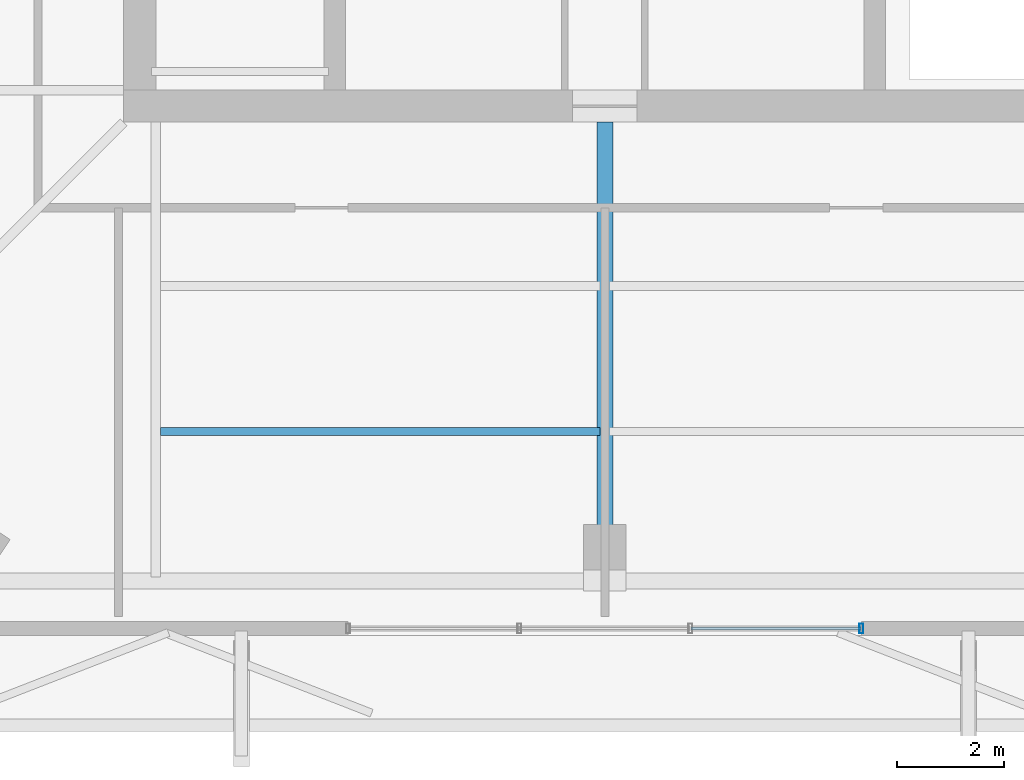
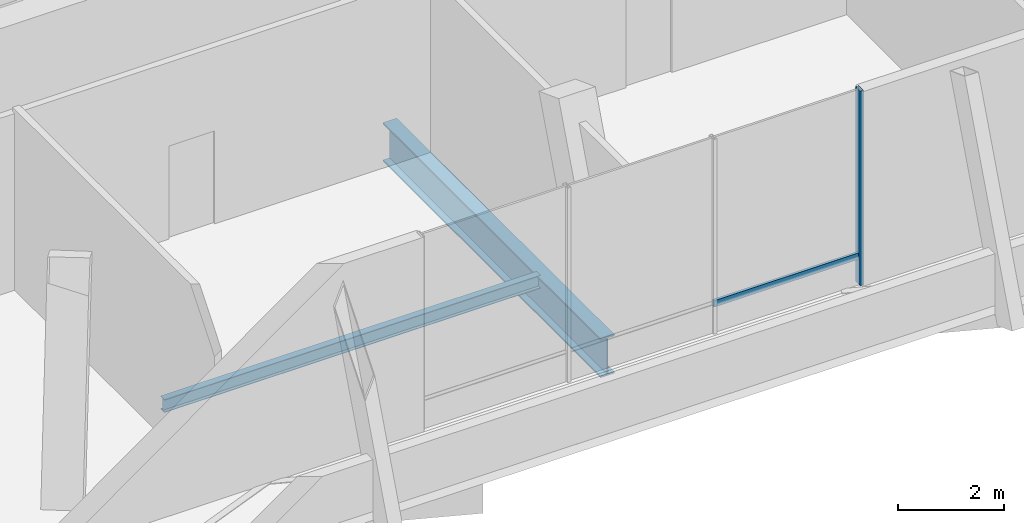
# One storey, part 5 of 18: 2 beams, 2 members, 1 element without a shape of its own.
"""IFC4 building model written with IfcOpenShell, lengths in metres."""

from ifc_helpers import new_model, si_unit, direction, frame, origin, origin_2d, place, context, subcontext, project, spatial, hollow_rectangle, i_section, extrude, material, layer, layer_set, material_profile, profile_set, type_object, element, aggregate, save


model = new_model("IFC4")

# Units and contexts
model_context = context("Model", 3, precision=1e-05, world=origin(), true_north=direction((0.0, 1.0)))
body_context = subcontext(model_context, "Body", "Model", "MODEL_VIEW")
ifc_project = project(units=[si_unit("LENGTHUNIT", "METRE"), si_unit("AREAUNIT", "SQUARE_METRE"), si_unit("VOLUMEUNIT", "CUBIC_METRE"), si_unit("PLANEANGLEUNIT", "RADIAN"), si_unit("MASSUNIT", "GRAM", prefix="KILO")], contexts=[model_context])

# Site, building, storey
site_placement = place(None, origin())
site = spatial("IfcSite", under=ifc_project, at=site_placement, CompositionType="ELEMENT")
building_placement = place(site_placement, origin())
building = spatial("IfcBuilding", under=site, at=building_placement, Name="Belovzor Exchange Tower", CompositionType="ELEMENT")
storey_placement = place(building_placement, frame((0.0, 0.0, 369.0)))
storey = spatial("IfcBuildingStorey", under=building, at=storey_placement, Name="L92", CompositionType="ELEMENT", Elevation=369.0)

# Beams
ifc_material_1 = material(Name="Steel S460", Category="steel")
ifc_material_profile_1 = material_profile(ifc_material_1, i_section(OverallWidth=0.300048828125, OverallDepth=0.89990234375, WebThickness=0.0185546875, FlangeThickness=0.034912109375, at=origin_2d()))
ifc_profile_set_1 = profile_set([ifc_material_profile_1], Name="Steel S460")
beam_type_1 = type_object("IfcBeamType", Name="Podium Radial Clear-Span Girder HEB 900", PredefinedType="BEAM", material=ifc_profile_set_1)
beam_1_placement = place(storey_placement, frame((28.800048828125, 19.800048828125, -0.75), z_axis=(0.0, -1.0, 0.0), x_axis=(1.0, 0.0, 0.0)))
element("IfcBeam", 1, at=beam_1_placement, inside=storey, type_object=beam_type_1, Name="PG-2 Podium Radial Clear-Span Girder HEB 900", PredefinedType="BEAM", context=body_context, shape_type="SweptSolid", body=[
    extrude(i_section(OverallWidth=0.300048828125, OverallDepth=0.89990234375, WebThickness=0.0185546875, FlangeThickness=0.034912109375, at=origin_2d()), origin(), (0.0, 0.0, 1.0), 8.248046875),
])
ifc_material_2 = material(Name="Steel S355", Category="steel")
ifc_material_profile_2 = material_profile(ifc_material_2, i_section(OverallWidth=0.14990234375, OverallDepth=0.300048828125, WebThickness=0.007080078125, FlangeThickness=0.0107421875, at=origin_2d()))
ifc_profile_set_2 = profile_set([ifc_material_profile_2], Name="Steel S355")
beam_type_2 = type_object("IfcBeamType", Name="Secondary Trim Floor Joist IPE 300", PredefinedType="BEAM", material=ifc_profile_set_2)
beam_2_placement = place(storey_placement, frame((20.489990234375, 14.01708984375, -0.449951171875), z_axis=(1.0, 0.0, 0.0), x_axis=(0.0, 1.0, 0.0)))
element("IfcBeam", 2, at=beam_2_placement, inside=storey, type_object=beam_type_2, Name="FJ-300 Secondary Trim Floor Joist IPE 300", PredefinedType="BEAM", context=body_context, shape_type="SweptSolid", body=[
    extrude(i_section(OverallWidth=0.14990234375, OverallDepth=0.300048828125, WebThickness=0.007080078125, FlangeThickness=0.0107421875, at=origin_2d()), origin(), (0.0, 0.0, 1.0), 8.219970703125),
])

# Curtain wall, members
ifc_material_3 = material(Name="Anodised Aluminium Framing", Category="aluminium")
ifc_layer = layer(ifc_material_3, 0.169921875)
ifc_layer_set = layer_set([ifc_layer], Name="Anodised Aluminium Framing")
curtain_wall_type = type_object("IfcCurtainWallType", Name="Stepped Crown Faceted Lantern Curtain Wall", PredefinedType="NOTDEFINED", material=ifc_layer_set)
curtain_wall_placement = place(storey_placement, origin())
curtain_wall = element("IfcCurtainWall", 3, at=curtain_wall_placement, inside=storey, type_object=curtain_wall_type, Name="CW6 Stepped Crown Faceted Lantern Curtain Wall L92", PredefinedType="NOTDEFINED")
ifc_material_4 = material(Name="Steel S355", Category="steel")
ifc_material_profile_3 = material_profile(ifc_material_4, hollow_rectangle(XDim=0.074951171875, YDim=0.179931640625, WallThickness=0.0048828125, at=origin_2d()))
ifc_profile_set_3 = profile_set([ifc_material_profile_3], Name="Steel S355")
member_type_1 = type_object("IfcMemberType", Name="Thermally Broken Curtain Wall Mullion 180x75", PredefinedType="MULLION", material=ifc_profile_set_3)
member_1_placement = place(storey_placement, frame((33.60009765625, 10.330078125, 0.0), z_axis=(0.0, 0.0, 1.0), x_axis=(-1.0, 0.0, 0.0)))
member_1 = element("IfcMember", 4, at=member_1_placement, type_object=member_type_1, Name="CW-M180 Curtain Wall Mullion 1", PredefinedType="MULLION", context=body_context, shape_type="SweptSolid", body=[
    extrude(hollow_rectangle(XDim=0.074951171875, YDim=0.179931640625, WallThickness=0.0048828125, at=origin_2d()), origin(), (0.0, 0.0, 1.0), 4.5),
])
ifc_material_5 = material(Name="Steel S355", Category="steel")
ifc_material_profile_4 = material_profile(ifc_material_5, hollow_rectangle(XDim=0.06005859375, YDim=0.14990234375, WallThickness=0.00390625, at=origin_2d()))
ifc_profile_set_4 = profile_set([ifc_material_profile_4], Name="Steel S355")
member_type_2 = type_object("IfcMemberType", Name="Thermally Broken Curtain Wall Transom 150x60", PredefinedType="USERDEFINED", material=ifc_profile_set_4)
member_2_placement = place(storey_placement, frame((33.592041015625, 10.330078125, 0.64990234375), z_axis=(-1.0, 0.0, 0.0), x_axis=(0.0, -1.0, 0.0)))
member_2 = element("IfcMember", 5, at=member_2_placement, type_object=member_type_2, Name="CW-T150 Curtain Wall Transom 1", ObjectType="TRANSOM", PredefinedType="USERDEFINED", context=body_context, shape_type="SweptSolid", body=[
    extrude(hollow_rectangle(XDim=0.06005859375, YDim=0.14990234375, WallThickness=0.00390625, at=origin_2d()), origin(), (0.0, 0.0, 1.0), 3.18408203125),
])
aggregate(curtain_wall, [member_1, member_2])

save(model, "model.ifc")
